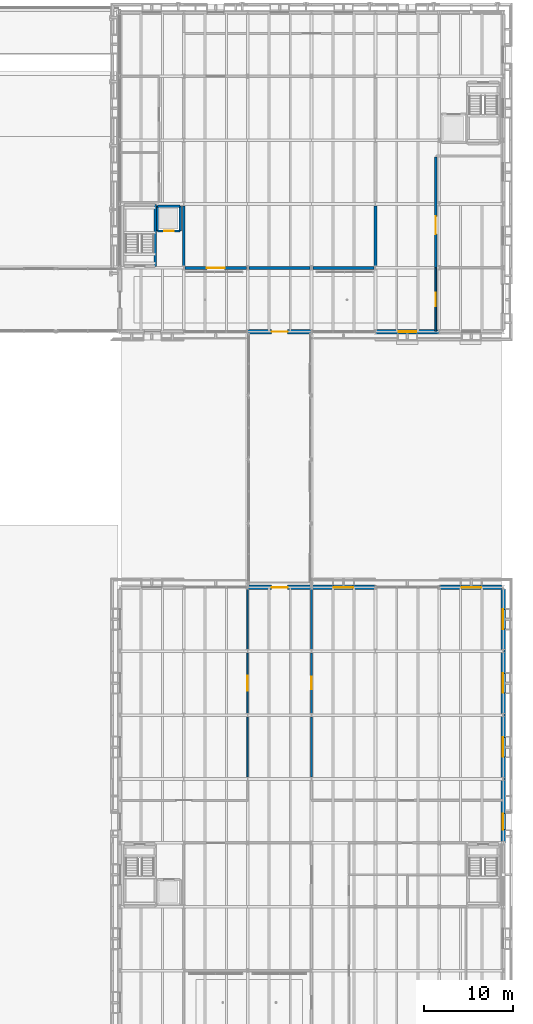
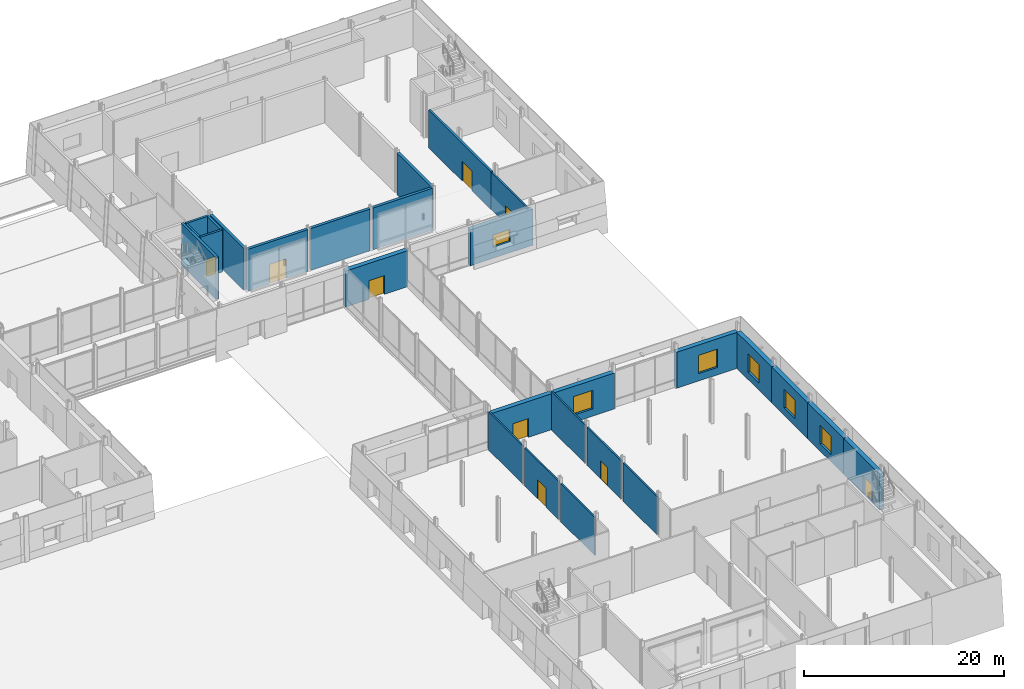
# One storey, part 80 of 120: 27 walls, 9 doors, 6 windows, 15 openings.
"""IFC4 building model written with IfcOpenShell, lengths in metres."""

from ifc_helpers import new_model, si_unit, direction, frame, frame_2d, origin, place, context, subcontext, project, spatial, rectangle, extrude, material, layer, layer_set, type_object, element, fill, save


model = new_model("IFC4")

# Units and contexts
model_context = context("Model", 3, precision=1e-05, world=origin(), true_north=direction((0.0, 1.0)))
body_context = subcontext(model_context, "Body", "Model", "MODEL_VIEW")
ifc_project = project(units=[si_unit("LENGTHUNIT", "METRE"), si_unit("AREAUNIT", "SQUARE_METRE"), si_unit("VOLUMEUNIT", "CUBIC_METRE"), si_unit("PLANEANGLEUNIT", "RADIAN"), si_unit("MASSUNIT", "GRAM", prefix="KILO")], contexts=[model_context])

# Site, building, storey
site_placement = place(None, origin())
site = spatial("IfcSite", under=ifc_project, at=site_placement, CompositionType="ELEMENT")
building_placement = place(site_placement, origin())
building = spatial("IfcBuilding", under=site, at=building_placement, Name="Narikvali Park Central Library", CompositionType="ELEMENT")
storey_placement = place(building_placement, origin())
storey = spatial("IfcBuildingStorey", under=building, at=storey_placement, Name="L00", CompositionType="ELEMENT", Elevation=0.0)

# Wall, opening, door
ifc_material_1 = material(Name="Double Masonry Acoustic Wall C30/37", Category="masonry")
ifc_layer_1 = layer(ifc_material_1, 0.320068359375, Name="Double Masonry Acoustic Wall C30/37")
ifc_layer_set_1 = layer_set([ifc_layer_1], Name="Double Masonry Acoustic Wall C30/37")
wall_type_1 = type_object("IfcWallType", Name="Auditorium Double Acoustic Wall 320", PredefinedType="SOLIDWALL", material=ifc_layer_set_1)
wall_1_placement = place(storey_placement, frame((129.75390625, 86.39990234375, 0.0), z_axis=(0.0, 0.0, 1.0), x_axis=(1.0, 0.0, 0.0)))
wall_1 = element("IfcWall", 1, at=wall_1_placement, inside=storey, type_object=wall_type_1, Name="Main Auditorium Partition S", PredefinedType="SOLIDWALL", context=body_context, shape_type="SweptSolid", body=[
    extrude(rectangle(XDim=6.89208984375, YDim=0.320068359375, at=frame_2d((3.446044921875, 0.0))), origin(), (0.0, 0.0, 1.0), 5.10498046875),
])
opening_1_placement = place(wall_1_placement, frame((2.446044921875, 0.0, 0.0)))
opening_1 = element("IfcOpeningElement", 2, at=opening_1_placement, cuts=wall_1, Name="Opening ID-0065", PredefinedType="OPENING", context=body_context, shape_type="SweptSolid", body=[
    extrude(rectangle(XDim=2.0, YDim=2.39990234375, at=frame_2d((1.0, 1.199951171875))), frame((0.0, 0.171875, 0.0), z_axis=(0.0, -1.0, 0.0), x_axis=(1.0, 0.0, 0.0)), (0.0, 0.0, 1.0), 0.343994140625),
])
ifc_material_2 = material(Name="Acoustic Upholstered Solid Oak")
door_type_1 = type_object("IfcDoorType", Name="Auditorium Acoustic Double Lobby Door 2000x2400", OperationType="DOUBLE_DOOR_SINGLE_SWING", PredefinedType="DOOR", material=ifc_material_2)
door_1_placement = place(opening_1_placement, frame((2.0, 0.0, 0.0), z_axis=(0.0, 0.0, 1.0), x_axis=(-1.0, 0.0, 0.0)))
door_1 = element("IfcDoor", 3, at=door_1_placement, inside=storey, type_object=door_type_1, Name="Main Auditorium Door ID-0065", OperationType="DOUBLE_DOOR_SINGLE_SWING", OverallHeight=2.39990234375, OverallWidth=2.0, PredefinedType="DOOR", context=body_context, shape_type="SweptSolid", body=[
    extrude(rectangle(XDim=2.0, YDim=2.39990234375, at=frame_2d((1.0, 1.199951171875))), frame((0.0, 0.02490234375, 0.0), z_axis=(0.0, -1.0, 0.0), x_axis=(1.0, 0.0, 0.0)), (0.0, 0.0, 1.0), 0.050048828125),
])
fill(opening_1, door_1)

# Walls
for number, where, z_axis, x_axis, name in (
    (4, (136.9541015625, 86.39990234375, 0.0), (0.0, 0.0, 1.0), (1.0, 0.0, 0.0), "Main Auditorium Partition S"),
    (5, (144.154052734375, 86.39990234375, 0.0), (0.0, 0.0, 1.0), (1.0, 0.0, 0.0), "Main Auditorium Partition S"),
):
    element("IfcWall", number, at=place(storey_placement, frame(where, z_axis=z_axis, x_axis=x_axis)), inside=storey, type_object=wall_type_1, Name=name, PredefinedType="SOLIDWALL", context=body_context, shape_type="SweptSolid", body=[
        extrude(rectangle(XDim=6.891845703125, YDim=0.320068359375, at=frame_2d((3.44580078125, 0.0))), origin(), (0.0, 0.0, 1.0), 5.10498046875),
    ])
for number, where, z_axis, x_axis, name in (
    (6, (129.60009765625, 86.62890625, 0.0), (0.0, 0.0, 1.0), (0.0, 1.0, 0.0), "Main Auditorium Partition W"),
    (7, (151.199951171875, 86.62890625, 0.0), (0.0, 0.0, 1.0), (0.0, 1.0, 0.0), "Main Auditorium Partition E"),
):
    element("IfcWall", number, at=place(storey_placement, frame(where, z_axis=z_axis, x_axis=x_axis)), inside=storey, type_object=wall_type_1, Name=name, PredefinedType="SOLIDWALL", context=body_context, shape_type="SweptSolid", body=[
        extrude(rectangle(XDim=6.7421875, YDim=0.320068359375, at=frame_2d((3.37109375, 0.0))), origin(), (0.0, 0.0, 1.0), 5.10498046875),
    ])

# Wall, opening, door
ifc_material_3 = material(Name="Autoclaved Concrete Blockwork C25/30", Category="masonry")
ifc_layer_2 = layer(ifc_material_3, 0.239990234375, Name="Autoclaved Concrete Blockwork C25/30")
ifc_layer_set_2 = layer_set([ifc_layer_2], Name="Autoclaved Concrete Blockwork C25/30")
wall_type_2 = type_object("IfcWallType", Name="Fire Compartment Concrete Block Wall 240", PredefinedType="SOLIDWALL", material=ifc_layer_set_2)
wall_2_placement = place(storey_placement, frame((158.0, 86.39990234375, 0.0), z_axis=(0.0, 0.0, 1.0), x_axis=(0.0, 1.0, 0.0)))
wall_2 = element("IfcWall", 8, at=wall_2_placement, inside=storey, type_object=wall_type_2, Name="Auditorium Stage and Wing House Partition W", PredefinedType="SOLIDWALL", context=body_context, shape_type="SweptSolid", body=[
    extrude(rectangle(XDim=12.47802734375, YDim=0.239990234375, at=frame_2d((6.239013671875, 0.0))), origin(), (0.0, 0.0, 1.0), 4.614990234375),
])
opening_2_placement = place(wall_2_placement, frame((3.79931640625, 0.0, 0.0)))
opening_2 = element("IfcOpeningElement", 9, at=opening_2_placement, cuts=wall_2, Name="Opening ID-0070", PredefinedType="OPENING", context=body_context, shape_type="SweptSolid", body=[
    extrude(rectangle(XDim=2.0, YDim=2.39990234375, at=frame_2d((1.0, 1.199951171875))), frame((0.0, 0.1318359375, 0.0), z_axis=(0.0, -1.0, 0.0), x_axis=(1.0, 0.0, 0.0)), (0.0, 0.0, 1.0), 0.263916015625),
])
door_2_placement = place(opening_2_placement, frame((2.0, 0.0, 0.0), z_axis=(0.0, 0.0, 1.0), x_axis=(-1.0, 0.0, 0.0)))
door_2 = element("IfcDoor", 10, at=door_2_placement, inside=storey, type_object=door_type_1, Name="Auditorium Stage and Wing House Door ID-0070", OperationType="DOUBLE_DOOR_SINGLE_SWING", OverallHeight=2.39990234375, OverallWidth=2.0, PredefinedType="DOOR", context=body_context, shape_type="SweptSolid", body=[
    extrude(rectangle(XDim=2.0, YDim=2.39990234375, at=frame_2d((1.0, 1.199951171875))), frame((0.0, 0.02490234375, 0.0), z_axis=(0.0, -1.0, 0.0), x_axis=(1.0, 0.0, 0.0)), (0.0, 0.0, 1.0), 0.050048828125),
])
fill(opening_2, door_2)

# Wall
ifc_material_4 = material(Name="Acoustic Laminated Glass and Steel Studs", Category="steel")
ifc_layer_3 = layer(ifc_material_4, 0.169921875, Name="Acoustic Laminated Glass and Steel Studs")
ifc_layer_set_3 = layer_set([ifc_layer_3], Name="Acoustic Laminated Glass and Steel Studs")
wall_type_3 = type_object("IfcWallType", Name="Maker Space Glazed Acoustic Partition 170", PredefinedType="PARTITIONING", material=ifc_layer_set_3)
wall_3_placement = place(storey_placement, frame((136.800048828125, 29.00390625, 0.0), z_axis=(0.0, 0.0, 1.0), x_axis=(0.0, 1.0, 0.0)))
element("IfcWall", 11, at=wall_3_placement, inside=storey, type_object=wall_type_3, Name="Public Maker Space Fabrication Workshop Partition E", PredefinedType="PARTITIONING", context=body_context, shape_type="SweptSolid", body=[
    extrude(rectangle(XDim=6.7919921875, YDim=0.169921875, at=frame_2d((3.39599609375, 0.0))), origin(), (0.0, 0.0, 1.0), 4.6650390625),
])

# Wall, opening, door
wall_4_placement = place(storey_placement, frame((136.800048828125, 36.2041015625, 0.0), z_axis=(0.0, 0.0, 1.0), x_axis=(0.0, 1.0, 0.0)))
wall_4 = element("IfcWall", 12, at=wall_4_placement, inside=storey, type_object=wall_type_3, Name="Public Maker Space Fabrication Workshop Partition E", PredefinedType="PARTITIONING", context=body_context, shape_type="SweptSolid", body=[
    extrude(rectangle(XDim=6.7919921875, YDim=0.169921875, at=frame_2d((3.39599609375, 0.0))), origin(), (0.0, 0.0, 1.0), 4.6650390625),
])
opening_3_placement = place(wall_4_placement, frame((2.5458984375, 0.0, 0.0)))
opening_3 = element("IfcOpeningElement", 13, at=opening_3_placement, cuts=wall_4, Name="Opening ID-0153", PredefinedType="OPENING", context=body_context, shape_type="SweptSolid", body=[
    extrude(rectangle(XDim=1.699951171875, YDim=2.300048828125, at=frame_2d((0.85009765625, 1.14990234375))), frame((0.0, 0.096923828125, 0.0), z_axis=(0.0, -1.0, 0.0), x_axis=(1.0, 0.0, 0.0)), (0.0, 0.0, 1.0), 0.19384765625),
])
ifc_material_5 = material(Name="Anodised Aluminium and Laminated Glass", Category="aluminium")
door_type_2 = type_object("IfcDoorType", Name="Maker Workshop Double Door 1700x2300", OperationType="DOUBLE_DOOR_SINGLE_SWING", PredefinedType="DOOR", material=ifc_material_5)
door_3_placement = place(opening_3_placement, origin())
door_3 = element("IfcDoor", 14, at=door_3_placement, inside=storey, type_object=door_type_2, Name="Public Maker Space Fabrication Workshop Door ID-0153", OperationType="DOUBLE_DOOR_SINGLE_SWING", OverallHeight=2.300048828125, OverallWidth=1.699951171875, PredefinedType="DOOR", context=body_context, shape_type="SweptSolid", body=[
    extrude(rectangle(XDim=1.699951171875, YDim=2.300048828125, at=frame_2d((0.85009765625, 1.14990234375))), frame((0.0, 0.02490234375, 0.0), z_axis=(0.0, -1.0, 0.0), x_axis=(1.0, 0.0, 0.0)), (0.0, 0.0, 1.0), 0.050048828125),
])
fill(opening_3, door_3)

# Wall
wall_5_placement = place(storey_placement, frame((136.800048828125, 43.404052734375, 0.0), z_axis=(0.0, 0.0, 1.0), x_axis=(0.0, 1.0, 0.0)))
element("IfcWall", 15, at=wall_5_placement, inside=storey, type_object=wall_type_3, Name="Public Maker Space Fabrication Workshop Partition E", PredefinedType="PARTITIONING", context=body_context, shape_type="SweptSolid", body=[
    extrude(rectangle(XDim=6.7919921875, YDim=0.169921875, at=frame_2d((3.39599609375, 0.0))), origin(), (0.0, 0.0, 1.0), 4.6650390625),
])

# Wall, opening, door
ifc_material_6 = material(Name="Acoustic Gypsum on Steel Studs", Category="steel")
ifc_layer_4 = layer(ifc_material_6, 0.179931640625, Name="Acoustic Gypsum on Steel Studs")
ifc_layer_set_4 = layer_set([ifc_layer_4], Name="Acoustic Gypsum on Steel Studs")
wall_type_4 = type_object("IfcWallType", Name="Reading Room Acoustic Partition 180", PredefinedType="PARTITIONING", material=ifc_layer_set_4)
wall_6_placement = place(storey_placement, frame((158.0, 79.2548828125, 0.0), z_axis=(0.0, 0.0, 1.0), x_axis=(0.0, 1.0, 0.0)))
wall_6 = element("IfcWall", 16, at=wall_6_placement, inside=storey, type_object=wall_type_4, Name="Book Delivery and Receiving Loading Bay Partition W", PredefinedType="PARTITIONING", context=body_context, shape_type="SweptSolid", body=[
    extrude(rectangle(XDim=7.14501953125, YDim=0.179931640625, at=frame_2d((3.572509765625, 0.0))), origin(), (0.0, 0.0, 1.0), 4.554931640625),
])
opening_4_placement = place(wall_6_placement, frame((2.822509765625, 0.0, 0.0)))
opening_4 = element("IfcOpeningElement", 17, at=opening_4_placement, cuts=wall_6, Name="Opening ID-0068", PredefinedType="OPENING", context=body_context, shape_type="SweptSolid", body=[
    extrude(rectangle(XDim=1.5, YDim=2.199951171875, at=frame_2d((0.75, 1.10009765625))), frame((0.0, 0.10205078125, 0.0), z_axis=(0.0, -1.0, 0.0), x_axis=(1.0, 0.0, 0.0)), (0.0, 0.0, 1.0), 0.203857421875),
])
ifc_material_7 = material(Name="Galvanised Steel S275 Louvred Fire Leaf", Category="steel")
door_type_3 = type_object("IfcDoorType", Name="Plant Room Double Steel Fire Door 1500x2200", OperationType="DOUBLE_DOOR_SINGLE_SWING", PredefinedType="DOOR", material=ifc_material_7)
door_4_placement = place(opening_4_placement, frame((1.5, 0.0, 0.0), z_axis=(0.0, 0.0, 1.0), x_axis=(-1.0, 0.0, 0.0)))
door_4 = element("IfcDoor", 18, at=door_4_placement, inside=storey, type_object=door_type_3, Name="Book Delivery and Receiving Loading Bay Door ID-0068", OperationType="DOUBLE_DOOR_SINGLE_SWING", OverallHeight=2.199951171875, OverallWidth=1.5, PredefinedType="DOOR", context=body_context, shape_type="SweptSolid", body=[
    extrude(rectangle(XDim=1.5, YDim=2.199951171875, at=frame_2d((0.75, 1.10009765625))), frame((0.0, 0.02490234375, 0.0), z_axis=(0.0, -1.0, 0.0), x_axis=(1.0, 0.0, 0.0)), (0.0, 0.0, 1.0), 0.050048828125),
])
fill(opening_4, door_4)

# Wall
wall_7_placement = place(storey_placement, frame((144.0, 29.00390625, 0.0), z_axis=(0.0, 0.0, 1.0), x_axis=(0.0, 1.0, 0.0)))
element("IfcWall", 19, at=wall_7_placement, inside=storey, type_object=wall_type_4, Name="Civic Community Meeting Room A Partition W", PredefinedType="PARTITIONING", context=body_context, shape_type="SweptSolid", body=[
    extrude(rectangle(XDim=6.7919921875, YDim=0.179931640625, at=frame_2d((3.39599609375, 0.0))), origin(), (0.0, 0.0, 1.0), 4.6650390625),
])

# Wall, opening, door
wall_8_placement = place(storey_placement, frame((144.0, 36.2041015625, 0.0), z_axis=(0.0, 0.0, 1.0), x_axis=(0.0, 1.0, 0.0)))
wall_8 = element("IfcWall", 20, at=wall_8_placement, inside=storey, type_object=wall_type_4, Name="Civic Community Meeting Room A Partition W", PredefinedType="PARTITIONING", context=body_context, shape_type="SweptSolid", body=[
    extrude(rectangle(XDim=6.7919921875, YDim=0.179931640625, at=frame_2d((3.39599609375, 0.0))), origin(), (0.0, 0.0, 1.0), 4.6650390625),
])
opening_5_placement = place(wall_8_placement, frame((2.696044921875, 0.0, 0.0)))
opening_5 = element("IfcOpeningElement", 21, at=opening_5_placement, cuts=wall_8, Name="Opening ID-0148", PredefinedType="OPENING", context=body_context, shape_type="SweptSolid", body=[
    extrude(rectangle(XDim=1.39990234375, YDim=2.199951171875, at=frame_2d((0.699951171875, 1.10009765625))), frame((0.0, 0.10205078125, 0.0), z_axis=(0.0, -1.0, 0.0), x_axis=(1.0, 0.0, 0.0)), (0.0, 0.0, 1.0), 0.203857421875),
])
ifc_material_8 = material(Name="Caucasian Oak and Acoustic Glass", Category="glass")
door_type_4 = type_object("IfcDoorType", Name="Community Room Glazed Oak Door 1400x2200", OperationType="DOUBLE_DOOR_SINGLE_SWING", PredefinedType="DOOR", material=ifc_material_8)
door_5_placement = place(opening_5_placement, frame((1.39990234375, 0.0, 0.0), z_axis=(0.0, 0.0, 1.0), x_axis=(-1.0, 0.0, 0.0)))
door_5 = element("IfcDoor", 22, at=door_5_placement, inside=storey, type_object=door_type_4, Name="Civic Community Meeting Room A Door ID-0148", OperationType="DOUBLE_DOOR_SINGLE_SWING", OverallHeight=2.199951171875, OverallWidth=1.39990234375, PredefinedType="DOOR", context=body_context, shape_type="SweptSolid", body=[
    extrude(rectangle(XDim=1.39990234375, YDim=2.199951171875, at=frame_2d((0.699951171875, 1.10009765625))), frame((0.0, 0.02490234375, 0.0), z_axis=(0.0, -1.0, 0.0), x_axis=(1.0, 0.0, 0.0)), (0.0, 0.0, 1.0), 0.050048828125),
])
fill(opening_5, door_5)

# Wall
wall_9_placement = place(storey_placement, frame((144.0, 43.404052734375, 0.0), z_axis=(0.0, 0.0, 1.0), x_axis=(0.0, 1.0, 0.0)))
element("IfcWall", 23, at=wall_9_placement, inside=storey, type_object=wall_type_4, Name="Civic Community Meeting Room A Partition W", PredefinedType="PARTITIONING", context=body_context, shape_type="SweptSolid", body=[
    extrude(rectangle(XDim=6.7919921875, YDim=0.179931640625, at=frame_2d((3.39599609375, 0.0))), origin(), (0.0, 0.0, 1.0), 4.6650390625),
])

# Wall, opening, door
ifc_material_9 = material(Name="Concrete C40/50", Category="concrete")
ifc_layer_5 = layer(ifc_material_9, 0.25, Name="Concrete C40/50")
ifc_layer_set_5 = layer_set([ifc_layer_5], Name="Concrete C40/50")
wall_type_5 = type_object("IfcWallType", Name="Reinforced Concrete Lift Shaft Wall 250", PredefinedType="SHEAR", material=ifc_layer_set_5)
wall_10_placement = place(storey_placement, frame((126.64990234375, 90.550048828125, 0.0), z_axis=(0.0, 0.0, 1.0), x_axis=(1.0, 0.0, 0.0)))
wall_10 = element("IfcWall", 24, at=wall_10_placement, inside=storey, type_object=wall_type_5, Name="L-04 L00 Lift Shaft Wall S", PredefinedType="SHEAR", context=body_context, shape_type="SweptSolid", body=[
    extrude(rectangle(XDim=2.550048828125, YDim=0.25, at=frame_2d((1.27490234375, 0.0))), origin(), (0.0, 0.0, 1.0), 5.1201171875),
])
opening_6_placement = place(wall_10_placement, frame((0.72509765625, 0.0, 0.0)))
opening_6 = element("IfcOpeningElement", 25, at=opening_6_placement, cuts=wall_10, Name="Opening LD-015", PredefinedType="OPENING", context=body_context, shape_type="SweptSolid", body=[
    extrude(rectangle(XDim=1.10009765625, YDim=2.10009765625, at=frame_2d((0.550048828125, 1.050048828125))), frame((0.0, 0.136962890625, 0.0), z_axis=(0.0, -1.0, 0.0), x_axis=(1.0, 0.0, 0.0)), (0.0, 0.0, 1.0), 0.27392578125),
])
ifc_material_10 = material(Name="Brushed Stainless Steel S355", Category="steel")
door_type_5 = type_object("IfcDoorType", Name="Passenger Lift Sliding Landing Door 1100x2100", OperationType="SLIDING_TO_LEFT", PredefinedType="DOOR", material=ifc_material_10)
door_6_placement = place(opening_6_placement, origin())
door_6 = element("IfcDoor", 26, at=door_6_placement, inside=storey, type_object=door_type_5, Name="L-04 L00 Lift Landing Sliding Door LD-015", OperationType="SLIDING_TO_LEFT", OverallHeight=2.10009765625, OverallWidth=1.10009765625, PredefinedType="DOOR", context=body_context, shape_type="SweptSolid", body=[
    extrude(rectangle(XDim=1.10009765625, YDim=2.10009765625, at=frame_2d((0.550048828125, 1.050048828125))), frame((0.0, 0.02490234375, 0.0), z_axis=(0.0, -1.0, 0.0), x_axis=(1.0, 0.0, 0.0)), (0.0, 0.0, 1.0), 0.050048828125),
])
fill(opening_6, door_6)

# Walls
wall_11_placement = place(storey_placement, frame((129.199951171875, 90.550048828125, 0.0), z_axis=(0.0, 0.0, 1.0), x_axis=(0.0, 1.0, 0.0)))
element("IfcWall", 27, at=wall_11_placement, inside=storey, type_object=wall_type_5, Name="L-04 L00 Lift Shaft Wall E", PredefinedType="SHEAR", context=body_context, shape_type="SweptSolid", body=[
    extrude(rectangle(XDim=2.800048828125, YDim=0.25, at=frame_2d((1.39990234375, 0.0))), origin(), (0.0, 0.0, 1.0), 5.1201171875),
])
wall_12_placement = place(storey_placement, frame((129.199951171875, 93.35009765625, 0.0), z_axis=(0.0, 0.0, 1.0), x_axis=(-1.0, 0.0, 0.0)))
element("IfcWall", 28, at=wall_12_placement, inside=storey, type_object=wall_type_5, Name="L-04 L00 Lift Shaft Wall N", PredefinedType="SHEAR", context=body_context, shape_type="SweptSolid", body=[
    extrude(rectangle(XDim=2.550048828125, YDim=0.25, at=frame_2d((1.27490234375, 0.0))), origin(), (0.0, 0.0, 1.0), 5.1201171875),
])
wall_13_placement = place(storey_placement, frame((126.64990234375, 93.35009765625, 0.0), z_axis=(0.0, 0.0, 1.0), x_axis=(0.0, -1.0, 0.0)))
element("IfcWall", 29, at=wall_13_placement, inside=storey, type_object=wall_type_5, Name="L-04 L00 Lift Shaft Wall W", PredefinedType="SHEAR", context=body_context, shape_type="SweptSolid", body=[
    extrude(rectangle(XDim=2.800048828125, YDim=0.25, at=frame_2d((1.39990234375, 0.0))), origin(), (0.0, 0.0, 1.0), 5.1201171875),
])
ifc_layer_6 = layer(ifc_material_9, 0.300048828125, Name="Concrete C40/50")
ifc_layer_set_6 = layer_set([ifc_layer_6], Name="Concrete C40/50")
wall_type_6 = type_object("IfcWallType", Name="Reinforced Concrete Shear Wall 300", PredefinedType="SHEAR", material=ifc_layer_set_6)
wall_14_placement = place(storey_placement, frame((126.3701171875, 86.580078125, 0.0), z_axis=(0.0, 0.0, 1.0), x_axis=(0.0, 1.0, 0.0)))
element("IfcWall", 30, at=wall_14_placement, inside=storey, type_object=wall_type_6, Name="C3A L00 Stair Core Shear Wall E", PredefinedType="SHEAR", context=body_context, shape_type="SweptSolid", body=[
    extrude(rectangle(XDim=6.93994140625, YDim=0.300048828125, at=frame_2d((3.469970703125, 0.0))), origin(), (0.0, 0.0, 1.0), 5.1201171875),
])

# Wall, opening, door
ifc_material_11 = material(Name="White Rusticated Limestone over Concrete C35/45", Category="masonry")
ifc_layer_7 = layer(ifc_material_11, 0.52001953125, Name="White Rusticated Limestone over Concrete C35/45")
ifc_layer_set_7 = layer_set([ifc_layer_7], Name="White Rusticated Limestone over Concrete C35/45")
wall_type_7 = type_object("IfcWallType", Name="White Limestone Ashlar Plinth Wall 520", PredefinedType="SOLIDWALL", material=ifc_layer_set_7)
wall_15_placement = place(storey_placement, frame((136.800048828125, 79.199951171875, 0.0), z_axis=(0.0, 0.0, 1.0), x_axis=(1.0, 0.0, 0.0)))
wall_15 = element("IfcWall", 31, at=wall_15_placement, inside=storey, type_object=wall_type_7, Name="V3 L00 S Exterior Limestone Wall B03", PredefinedType="SOLIDWALL", context=body_context, shape_type="SweptSolid", body=[
    extrude(rectangle(XDim=7.199951171875, YDim=0.52001953125, at=frame_2d((3.60009765625, 0.0))), origin(), (0.0, 0.0, 1.0), 4.39990234375),
])
opening_7_placement = place(wall_15_placement, frame((2.699951171875, 0.0, 0.0)))
opening_7 = element("IfcOpeningElement", 32, at=opening_7_placement, cuts=wall_15, Name="Opening BD-019", PredefinedType="OPENING", context=body_context, shape_type="SweptSolid", body=[
    extrude(rectangle(XDim=1.800048828125, YDim=2.300048828125, at=frame_2d((0.89990234375, 1.14990234375))), frame((0.0, 0.27197265625, 0.0), z_axis=(0.0, -1.0, 0.0), x_axis=(1.0, 0.0, 0.0)), (0.0, 0.0, 1.0), 0.5439453125),
])
ifc_material_12 = material(Name="Fire-Rated Glazing in Steel S275 Frame", Category="steel")
door_type_6 = type_object("IfcDoorType", Name="Glazed Double Corridor Bridge Fire Door 1800x2300", OperationType="DOUBLE_DOOR_SINGLE_SWING", PredefinedType="DOOR", material=ifc_material_12)
door_7_placement = place(opening_7_placement, frame((1.800048828125, 0.0, 0.0), z_axis=(0.0, 0.0, 1.0), x_axis=(-1.0, 0.0, 0.0)))
door_7 = element("IfcDoor", 33, at=door_7_placement, inside=storey, type_object=door_type_6, Name="V3 L00 Covered Bridge Fire Door BD-019", OperationType="DOUBLE_DOOR_SINGLE_SWING", OverallHeight=2.300048828125, OverallWidth=1.800048828125, PredefinedType="DOOR", context=body_context, shape_type="SweptSolid", body=[
    extrude(rectangle(XDim=1.800048828125, YDim=2.300048828125, at=frame_2d((0.89990234375, 1.14990234375))), frame((0.0, 0.02490234375, 0.0), z_axis=(0.0, -1.0, 0.0), x_axis=(1.0, 0.0, 0.0)), (0.0, 0.0, 1.0), 0.050048828125),
])
fill(opening_7, door_7)

# Wall, opening, window
wall_16_placement = place(storey_placement, frame((151.199951171875, 79.199951171875, 0.0), z_axis=(0.0, 0.0, 1.0), x_axis=(1.0, 0.0, 0.0)))
wall_16 = element("IfcWall", 34, at=wall_16_placement, inside=storey, type_object=wall_type_7, Name="V3 L00 S Exterior Limestone Wall B05", PredefinedType="SOLIDWALL", context=body_context, shape_type="SweptSolid", body=[
    extrude(rectangle(XDim=7.199951171875, YDim=0.52001953125, at=frame_2d((3.60009765625, 0.0))), origin(), (0.0, 0.0, 1.0), 4.39990234375),
])
opening_8_placement = place(wall_16_placement, frame((2.60009765625, 0.0, 1.35009765625)))
opening_8 = element("IfcOpeningElement", 35, at=opening_8_placement, cuts=wall_16, Name="Opening WIN-0076", PredefinedType="OPENING", context=body_context, shape_type="SweptSolid", body=[
    extrude(rectangle(XDim=2.0, YDim=1.5, at=frame_2d((1.0, 0.75))), frame((0.0, 0.27197265625, 0.0), z_axis=(0.0, -1.0, 0.0), x_axis=(1.0, 0.0, 0.0)), (0.0, 0.0, 1.0), 0.5439453125),
])
ifc_material_13 = material(Name="Anodised Bronze Aluminium and Low-E Triple Glazing", Category="aluminium")
window_type_1 = type_object("IfcWindowType", Name="Auditorium Acoustic Clerestory Window 2000x1500", PartitioningType="DOUBLE_PANEL_HORIZONTAL", PredefinedType="WINDOW", material=ifc_material_13)
window_1_placement = place(opening_8_placement, origin())
window_1 = element("IfcWindow", 36, at=window_1_placement, inside=storey, type_object=window_type_1, Name="V3 L00 S Deep-Reveal Window WIN-0076", OverallHeight=1.5, OverallWidth=2.0, PartitioningType="SINGLE_PANEL", PredefinedType="WINDOW", context=body_context, shape_type="SweptSolid", body=[
    extrude(rectangle(XDim=2.0, YDim=1.5, at=frame_2d((1.0, 0.75))), frame((0.0, 0.030029296875, 0.0), z_axis=(0.0, -1.0, 0.0), x_axis=(1.0, 0.0, 0.0)), (0.0, 0.0, 1.0), 0.06005859375),
])
fill(opening_8, window_1)

# Wall, opening, door
wall_17_placement = place(storey_placement, frame((165.60009765625, 21.60009765625, 0.0), z_axis=(0.0, 0.0, 1.0), x_axis=(0.0, 1.0, 0.0)))
wall_17 = element("IfcWall", 37, at=wall_17_placement, inside=storey, type_object=wall_type_7, Name="V6 L00 E Exterior Limestone Wall B04", PredefinedType="SOLIDWALL", context=body_context, shape_type="SweptSolid", body=[
    extrude(rectangle(XDim=7.199951171875, YDim=0.52001953125, at=frame_2d((3.60009765625, 0.0))), origin(), (0.0, 0.0, 1.0), 4.39990234375),
])
opening_9_placement = place(wall_17_placement, frame((1.5, 0.0, 0.0)))
opening_9 = element("IfcOpeningElement", 38, at=opening_9_placement, cuts=wall_17, Name="Opening ED-049", PredefinedType="OPENING", context=body_context, shape_type="SweptSolid", body=[
    extrude(rectangle(XDim=1.800048828125, YDim=2.199951171875, at=frame_2d((0.89990234375, 1.10009765625))), frame((0.0, 0.27197265625, 0.0), z_axis=(0.0, -1.0, 0.0), x_axis=(1.0, 0.0, 0.0)), (0.0, 0.0, 1.0), 0.5439453125),
])
ifc_material_14 = material(Name="Powder-Coated Galvanised Steel S275", Category="steel")
door_type_7 = type_object("IfcDoorType", Name="Exterior Final Exit Double Fire Door 1800x2200", OperationType="DOUBLE_DOOR_SINGLE_SWING", PredefinedType="DOOR", material=ifc_material_14)
door_8_placement = place(opening_9_placement, frame((1.800048828125, 0.0, 0.0), z_axis=(0.0, 0.0, 1.0), x_axis=(-1.0, 0.0, 0.0)))
door_8 = element("IfcDoor", 39, at=door_8_placement, inside=storey, type_object=door_type_7, Name="V6 Ground Final Exit Discharge Door ED-049", OperationType="DOUBLE_DOOR_SINGLE_SWING", OverallHeight=2.199951171875, OverallWidth=1.800048828125, PredefinedType="DOOR", context=body_context, shape_type="SweptSolid", body=[
    extrude(rectangle(XDim=1.800048828125, YDim=2.199951171875, at=frame_2d((0.89990234375, 1.10009765625))), frame((0.0, 0.02490234375, 0.0), z_axis=(0.0, -1.0, 0.0), x_axis=(1.0, 0.0, 0.0)), (0.0, 0.0, 1.0), 0.050048828125),
])
fill(opening_9, door_8)

# Wall, opening, window
wall_18_placement = place(storey_placement, frame((165.60009765625, 28.800048828125, 0.0), z_axis=(0.0, 0.0, 1.0), x_axis=(0.0, 1.0, 0.0)))
wall_18 = element("IfcWall", 40, at=wall_18_placement, inside=storey, type_object=wall_type_7, Name="V6 L00 E Exterior Limestone Wall B05", PredefinedType="SOLIDWALL", context=body_context, shape_type="SweptSolid", body=[
    extrude(rectangle(XDim=7.199951171875, YDim=0.52001953125, at=frame_2d((3.60009765625, 0.0))), origin(), (0.0, 0.0, 1.0), 4.39990234375),
])
opening_10_placement = place(wall_18_placement, frame((2.5, 0.0, 0.89990234375)))
opening_10 = element("IfcOpeningElement", 41, at=opening_10_placement, cuts=wall_18, Name="Opening WIN-0350", PredefinedType="OPENING", context=body_context, shape_type="SweptSolid", body=[
    extrude(rectangle(XDim=2.199951171875, YDim=2.25, at=frame_2d((1.10009765625, 1.125))), frame((0.0, 0.27197265625, 0.0), z_axis=(0.0, -1.0, 0.0), x_axis=(1.0, 0.0, 0.0)), (0.0, 0.0, 1.0), 0.5439453125),
])
window_type_2 = type_object("IfcWindowType", Name="Community & Fine Arts Studio Window 2200x2250", PartitioningType="TRIPLE_PANEL_VERTICAL", PredefinedType="WINDOW", material=ifc_material_13)
window_2_placement = place(opening_10_placement, origin())
window_2 = element("IfcWindow", 42, at=window_2_placement, inside=storey, type_object=window_type_2, Name="V6 L00 E Deep-Reveal Window WIN-0350", OverallHeight=2.25, OverallWidth=2.199951171875, PartitioningType="SINGLE_PANEL", PredefinedType="WINDOW", context=body_context, shape_type="SweptSolid", body=[
    extrude(rectangle(XDim=2.199951171875, YDim=2.25, at=frame_2d((1.10009765625, 1.125))), frame((0.0, 0.030029296875, 0.0), z_axis=(0.0, -1.0, 0.0), x_axis=(1.0, 0.0, 0.0)), (0.0, 0.0, 1.0), 0.06005859375),
])
fill(opening_10, window_2)

wall_19_placement = place(storey_placement, frame((165.60009765625, 36.0, 0.0), z_axis=(0.0, 0.0, 1.0), x_axis=(0.0, 1.0, 0.0)))
wall_19 = element("IfcWall", 43, at=wall_19_placement, inside=storey, type_object=wall_type_7, Name="V6 L00 E Exterior Limestone Wall B06", PredefinedType="SOLIDWALL", context=body_context, shape_type="SweptSolid", body=[
    extrude(rectangle(XDim=7.199951171875, YDim=0.52001953125, at=frame_2d((3.60009765625, 0.0))), origin(), (0.0, 0.0, 1.0), 4.39990234375),
])
opening_11_placement = place(wall_19_placement, frame((2.5, 0.0, 0.89990234375)))
opening_11 = element("IfcOpeningElement", 44, at=opening_11_placement, cuts=wall_19, Name="Opening WIN-0351", PredefinedType="OPENING", context=body_context, shape_type="SweptSolid", body=[
    extrude(rectangle(XDim=2.199951171875, YDim=2.25, at=frame_2d((1.10009765625, 1.125))), frame((0.0, 0.27197265625, 0.0), z_axis=(0.0, -1.0, 0.0), x_axis=(1.0, 0.0, 0.0)), (0.0, 0.0, 1.0), 0.5439453125),
])
window_3_placement = place(opening_11_placement, origin())
window_3 = element("IfcWindow", 45, at=window_3_placement, inside=storey, type_object=window_type_2, Name="V6 L00 E Deep-Reveal Window WIN-0351", OverallHeight=2.25, OverallWidth=2.199951171875, PartitioningType="SINGLE_PANEL", PredefinedType="WINDOW", context=body_context, shape_type="SweptSolid", body=[
    extrude(rectangle(XDim=2.199951171875, YDim=2.25, at=frame_2d((1.10009765625, 1.125))), frame((0.0, 0.030029296875, 0.0), z_axis=(0.0, -1.0, 0.0), x_axis=(1.0, 0.0, 0.0)), (0.0, 0.0, 1.0), 0.06005859375),
])
fill(opening_11, window_3)

wall_20_placement = place(storey_placement, frame((165.60009765625, 43.199951171875, 0.0), z_axis=(0.0, 0.0, 1.0), x_axis=(0.0, 1.0, 0.0)))
wall_20 = element("IfcWall", 46, at=wall_20_placement, inside=storey, type_object=wall_type_7, Name="V6 L00 E Exterior Limestone Wall B07", PredefinedType="SOLIDWALL", context=body_context, shape_type="SweptSolid", body=[
    extrude(rectangle(XDim=6.99609375, YDim=0.52001953125, at=frame_2d((3.498046875, 0.0))), origin(), (0.0, 0.0, 1.0), 4.39990234375),
])
opening_12_placement = place(wall_20_placement, frame((2.5, 0.0, 0.89990234375)))
opening_12 = element("IfcOpeningElement", 47, at=opening_12_placement, cuts=wall_20, Name="Opening WIN-0352", PredefinedType="OPENING", context=body_context, shape_type="SweptSolid", body=[
    extrude(rectangle(XDim=2.199951171875, YDim=2.25, at=frame_2d((1.10009765625, 1.125))), frame((0.0, 0.27197265625, 0.0), z_axis=(0.0, -1.0, 0.0), x_axis=(1.0, 0.0, 0.0)), (0.0, 0.0, 1.0), 0.5439453125),
])
window_4_placement = place(opening_12_placement, origin())
window_4 = element("IfcWindow", 48, at=window_4_placement, inside=storey, type_object=window_type_2, Name="V6 L00 E Deep-Reveal Window WIN-0352", OverallHeight=2.25, OverallWidth=2.199951171875, PartitioningType="SINGLE_PANEL", PredefinedType="WINDOW", context=body_context, shape_type="SweptSolid", body=[
    extrude(rectangle(XDim=2.199951171875, YDim=2.25, at=frame_2d((1.10009765625, 1.125))), frame((0.0, 0.030029296875, 0.0), z_axis=(0.0, -1.0, 0.0), x_axis=(1.0, 0.0, 0.0)), (0.0, 0.0, 1.0), 0.06005859375),
])
fill(opening_12, window_4)

wall_21_placement = place(storey_placement, frame((165.446044921875, 50.39990234375, 0.0), z_axis=(0.0, 0.0, 1.0), x_axis=(-1.0, 0.0, 0.0)))
wall_21 = element("IfcWall", 49, at=wall_21_placement, inside=storey, type_object=wall_type_7, Name="V6 L00 N Exterior Limestone Wall B01", PredefinedType="SOLIDWALL", context=body_context, shape_type="SweptSolid", body=[
    extrude(rectangle(XDim=7.046142578125, YDim=0.52001953125, at=frame_2d((3.52294921875, 0.0))), origin(), (0.0, 0.0, 1.0), 4.39990234375),
])
opening_13_placement = place(wall_21_placement, frame((2.345947265625, 0.0, 0.89990234375)))
opening_13 = element("IfcOpeningElement", 50, at=opening_13_placement, cuts=wall_21, Name="Opening WIN-0353", PredefinedType="OPENING", context=body_context, shape_type="SweptSolid", body=[
    extrude(rectangle(XDim=2.199951171875, YDim=2.25, at=frame_2d((1.10009765625, 1.125))), frame((0.0, 0.27197265625, 0.0), z_axis=(0.0, -1.0, 0.0), x_axis=(1.0, 0.0, 0.0)), (0.0, 0.0, 1.0), 0.5439453125),
])
window_5_placement = place(opening_13_placement, origin())
window_5 = element("IfcWindow", 51, at=window_5_placement, inside=storey, type_object=window_type_2, Name="V6 L00 N Deep-Reveal Window WIN-0353", OverallHeight=2.25, OverallWidth=2.199951171875, PartitioningType="SINGLE_PANEL", PredefinedType="WINDOW", context=body_context, shape_type="SweptSolid", body=[
    extrude(rectangle(XDim=2.199951171875, YDim=2.25, at=frame_2d((1.10009765625, 1.125))), frame((0.0, 0.030029296875, 0.0), z_axis=(0.0, -1.0, 0.0), x_axis=(1.0, 0.0, 0.0)), (0.0, 0.0, 1.0), 0.06005859375),
])
fill(opening_13, window_5)

wall_22_placement = place(storey_placement, frame((151.199951171875, 50.39990234375, 0.0), z_axis=(0.0, 0.0, 1.0), x_axis=(-1.0, 0.0, 0.0)))
wall_22 = element("IfcWall", 52, at=wall_22_placement, inside=storey, type_object=wall_type_7, Name="V6 L00 N Exterior Limestone Wall B03", PredefinedType="SOLIDWALL", context=body_context, shape_type="SweptSolid", body=[
    extrude(rectangle(XDim=7.199951171875, YDim=0.52001953125, at=frame_2d((3.60009765625, 0.0))), origin(), (0.0, 0.0, 1.0), 4.39990234375),
])
opening_14_placement = place(wall_22_placement, frame((2.5, 0.0, 0.89990234375)))
opening_14 = element("IfcOpeningElement", 53, at=opening_14_placement, cuts=wall_22, Name="Opening WIN-0354", PredefinedType="OPENING", context=body_context, shape_type="SweptSolid", body=[
    extrude(rectangle(XDim=2.199951171875, YDim=2.25, at=frame_2d((1.10009765625, 1.125))), frame((0.0, 0.27197265625, 0.0), z_axis=(0.0, -1.0, 0.0), x_axis=(1.0, 0.0, 0.0)), (0.0, 0.0, 1.0), 0.5439453125),
])
window_6_placement = place(opening_14_placement, origin())
window_6 = element("IfcWindow", 54, at=window_6_placement, inside=storey, type_object=window_type_2, Name="V6 L00 N Deep-Reveal Window WIN-0354", OverallHeight=2.25, OverallWidth=2.199951171875, PartitioningType="SINGLE_PANEL", PredefinedType="WINDOW", context=body_context, shape_type="SweptSolid", body=[
    extrude(rectangle(XDim=2.199951171875, YDim=2.25, at=frame_2d((1.10009765625, 1.125))), frame((0.0, 0.030029296875, 0.0), z_axis=(0.0, -1.0, 0.0), x_axis=(1.0, 0.0, 0.0)), (0.0, 0.0, 1.0), 0.06005859375),
])
fill(opening_14, window_6)

# Wall, opening, door
wall_23_placement = place(storey_placement, frame((144.0, 50.39990234375, 0.0), z_axis=(0.0, 0.0, 1.0), x_axis=(-1.0, 0.0, 0.0)))
wall_23 = element("IfcWall", 55, at=wall_23_placement, inside=storey, type_object=wall_type_7, Name="V6 L00 N Exterior Limestone Wall B04", PredefinedType="SOLIDWALL", context=body_context, shape_type="SweptSolid", body=[
    extrude(rectangle(XDim=7.199951171875, YDim=0.52001953125, at=frame_2d((3.60009765625, 0.0))), origin(), (0.0, 0.0, 1.0), 4.39990234375),
])
opening_15_placement = place(wall_23_placement, frame((2.699951171875, 0.0, 0.0)))
opening_15 = element("IfcOpeningElement", 56, at=opening_15_placement, cuts=wall_23, Name="Opening BD-050", PredefinedType="OPENING", context=body_context, shape_type="SweptSolid", body=[
    extrude(rectangle(XDim=1.800048828125, YDim=2.300048828125, at=frame_2d((0.89990234375, 1.14990234375))), frame((0.0, 0.27197265625, 0.0), z_axis=(0.0, -1.0, 0.0), x_axis=(1.0, 0.0, 0.0)), (0.0, 0.0, 1.0), 0.5439453125),
])
door_9_placement = place(opening_15_placement, frame((1.800048828125, 0.0, 0.0), z_axis=(0.0, 0.0, 1.0), x_axis=(-1.0, 0.0, 0.0)))
door_9 = element("IfcDoor", 57, at=door_9_placement, inside=storey, type_object=door_type_6, Name="V6 L00 Covered Bridge Fire Door BD-050", OperationType="DOUBLE_DOOR_SINGLE_SWING", OverallHeight=2.300048828125, OverallWidth=1.800048828125, PredefinedType="DOOR", context=body_context, shape_type="SweptSolid", body=[
    extrude(rectangle(XDim=1.800048828125, YDim=2.300048828125, at=frame_2d((0.89990234375, 1.14990234375))), frame((0.0, 0.02490234375, 0.0), z_axis=(0.0, -1.0, 0.0), x_axis=(1.0, 0.0, 0.0)), (0.0, 0.0, 1.0), 0.050048828125),
])
fill(opening_15, door_9)

save(model, "model.ifc")
